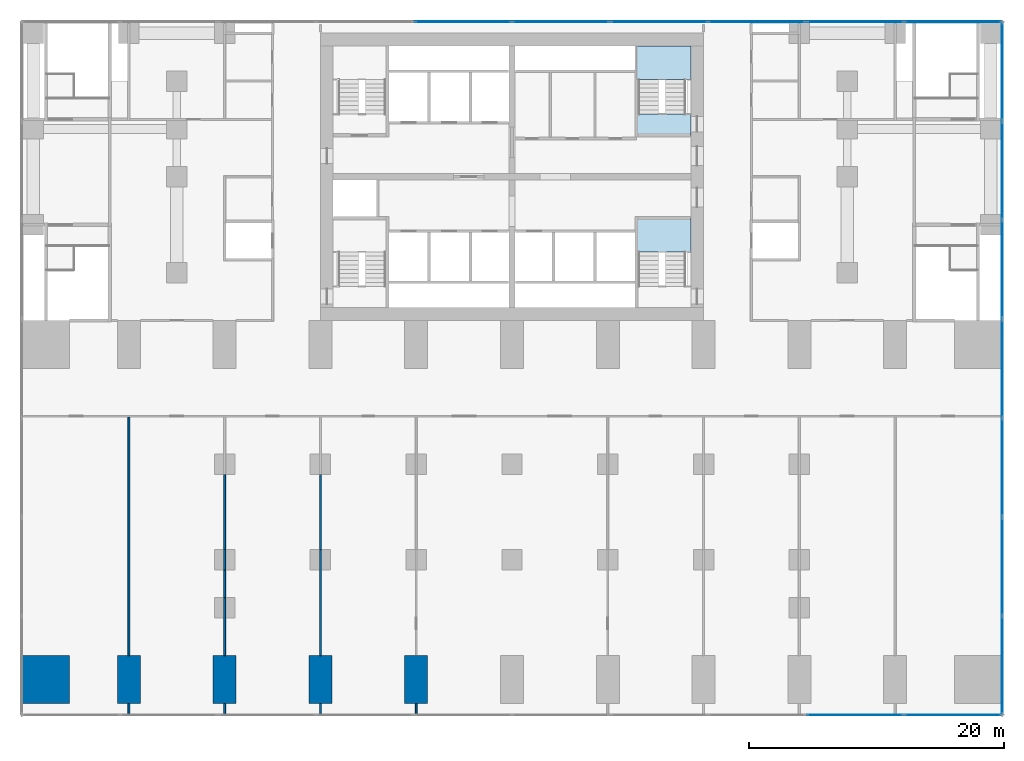
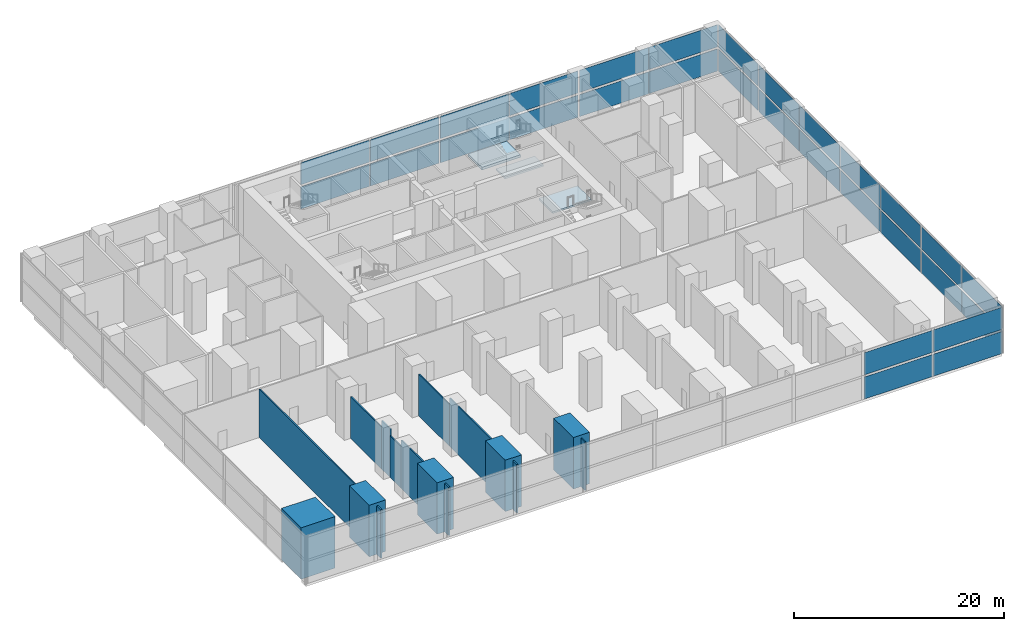
# One storey, part 7 of 14: 30 plates, 16 walls, 4 slabs, 18 elements without a shape of their own.
"""IFC4 building model written with IfcOpenShell, lengths in metres."""

import ifcopenshell
import ifcopenshell.guid

model = None  # the IFC model being written
_history = None  # IfcOwnerHistory: only IFC2X3 demands one
_inside = {}  # id of a spatial element -> (the spatial element, [elements in it])
_under = {}  # id of a project, library or spatial element -> (it, [spatial elements below it])
_declared = {}  # id of a project -> (the project, [libraries it declares])
_typed = {}  # id of a type object -> (the type object, [elements of that type])
_made_of = {}  # id of a material, layer set ... -> (it, [elements and type objects made of it])


def new_model(schema):
    """Start an empty IFC model of exactly this schema.

    Asked for "IFC4X3", IfcOpenShell would pick the latest addendum, in which some entities
    have other attributes; the version numbers below select the first issue.
    IFC2X3 requires an IfcOwnerHistory on every rooted entity: one is made here for all.
    """
    global model, _history
    if schema == "IFC4X3":
        model = ifcopenshell.file(schema_version=(4, 3, 0, 0))
    else:
        model = ifcopenshell.file(schema=schema)
    _inside.clear()
    _under.clear()
    _declared.clear()
    _typed.clear()
    _made_of.clear()
    _history = None
    if model.schema == "IFC2X3":
        org = make("IfcOrganization", Name="unknown")
        user = make(
            "IfcPersonAndOrganization",
            ThePerson=make("IfcPerson", FamilyName="unknown"),
            TheOrganization=org,
        )
        app = make(
            "IfcApplication",
            ApplicationDeveloper=org,
            Version="unknown",
            ApplicationFullName="unknown",
            ApplicationIdentifier="unknown",
        )
        _history = make(
            "IfcOwnerHistory",
            OwningUser=user,
            OwningApplication=app,
            ChangeAction="ADDED",
            CreationDate=0,
        )
    return model


def make(cls, **values):
    """One entity of the class cls with the attributes given. An attribute that is None is left unset."""
    return model.create_entity(
        cls, **{name: value for name, value in values.items() if value is not None}
    )


def rooted(cls, **values):
    """An entity with a GlobalId (a new one), such as an element, a storey or a relation."""
    return make(cls, GlobalId=ifcopenshell.guid.new(), OwnerHistory=_history, **values)


def si_unit(unit_type, name, prefix=None):
    """IfcSIUnit, for example si_unit("LENGTHUNIT", "METRE", prefix="MILLI")."""
    return make("IfcSIUnit", UnitType=unit_type, Prefix=prefix, Name=name)


def assignment(units):
    """IfcUnitAssignment: the units of a project."""
    return None if units is None else make("IfcUnitAssignment", Units=units)


def point(xyz):
    """IfcCartesianPoint."""
    return None if xyz is None else make("IfcCartesianPoint", Coordinates=xyz)


def direction(xyz):
    """IfcDirection."""
    return None if xyz is None else make("IfcDirection", DirectionRatios=xyz)


def frame(location, z_axis=None, x_axis=None):
    """IfcAxis2Placement3D, a coordinate frame: its origin and axes. An axis left out is left unset."""
    return make(
        "IfcAxis2Placement3D",
        Location=point(location),
        Axis=direction(z_axis),
        RefDirection=direction(x_axis),
    )


def frame_2d(location, x_axis=None):
    """IfcAxis2Placement2D, a coordinate frame in the plane: its origin and x axis."""
    return make(
        "IfcAxis2Placement2D", Location=point(location), RefDirection=direction(x_axis)
    )


def origin():
    """The frame at (0, 0, 0) with its axes left unset."""
    return frame((0.0, 0.0, 0.0))


def origin_2d():
    """The frame at (0, 0) in the plane with its x axis left unset."""
    return frame_2d((0.0, 0.0))


def place(relative_to, where):
    """IfcLocalPlacement: puts the frame where relative to a parent placement (None: the world)."""
    return make(
        "IfcLocalPlacement", PlacementRelTo=relative_to, RelativePlacement=where
    )


def context(
    kind, dimensions, precision=None, world=None, true_north=None, identifier=None
):
    """IfcGeometricRepresentationContext, for example the 3D "Model" context."""
    return make(
        "IfcGeometricRepresentationContext",
        ContextIdentifier=identifier,
        ContextType=kind,
        CoordinateSpaceDimension=dimensions,
        Precision=precision,
        WorldCoordinateSystem=world,
        TrueNorth=true_north,
    )


def subcontext(parent, identifier, kind, view, scale=None):
    """IfcGeometricRepresentationSubContext, for example "Body" below "Model"."""
    return make(
        "IfcGeometricRepresentationSubContext",
        ContextIdentifier=identifier,
        ContextType=kind,
        ParentContext=parent,
        TargetScale=scale,
        TargetView=view,
    )


def project(units=None, contexts=None):
    """IfcProject with its units and contexts."""
    return rooted(
        "IfcProject",
        Name="project",
        RepresentationContexts=contexts,
        UnitsInContext=assignment(units),
    )


def spatial(cls, under=None, at=None, **own):
    """A site, building, storey or space (cls), placed at a placement, below another one or the project."""
    s = rooted(cls, ObjectPlacement=at, **own)
    if under is not None:
        _under.setdefault(under.id(), (under, []))[1].append(s)
    return s


def polyline(points):
    """IfcPolyline through the points."""
    return make("IfcPolyline", Points=[point(p) for p in points])


def profile(cls, at=None, kind="AREA", **sizes):
    """A parametric profile (cls). Its sizes go by their IFC names, for example OverallWidth=200.0."""
    return make(cls, ProfileType=kind, Position=at, **sizes)


def rectangle(**sizes):
    """IfcRectangleProfileDef."""
    return profile("IfcRectangleProfileDef", **sizes)


def outline(outer, holes=None, kind="AREA"):
    """IfcArbitraryClosedProfileDef: a profile drawn as a closed curve; with holes, ...WithVoids."""
    if holes is None:
        return make("IfcArbitraryClosedProfileDef", ProfileType=kind, OuterCurve=outer)
    return make(
        "IfcArbitraryProfileDefWithVoids",
        ProfileType=kind,
        OuterCurve=outer,
        InnerCurves=holes,
    )


def extrude(swept, where, along, depth):
    """IfcExtrudedAreaSolid: the profile swept, set in the frame where, extruded along a direction by depth."""
    return make(
        "IfcExtrudedAreaSolid",
        SweptArea=swept,
        Position=where,
        ExtrudedDirection=direction(along),
        Depth=depth,
    )


def shape(context_of_items, identifier, shape_type, items):
    """IfcShapeRepresentation: the items that make up one representation, for example the "Body"."""
    return make(
        "IfcShapeRepresentation",
        ContextOfItems=context_of_items,
        RepresentationIdentifier=identifier,
        RepresentationType=shape_type,
        Items=items,
    )


def material(Name=None, Category=None):
    """IfcMaterial."""
    return make("IfcMaterial", Name=Name, Category=Category)


def layer(
    of_material, thickness, ventilated=None, Name=None, Category=None, Priority=None
):
    """IfcMaterialLayer: one layer of a wall or slab, of a material (None: an air gap)."""
    return make(
        "IfcMaterialLayer",
        Material=of_material,
        LayerThickness=thickness,
        IsVentilated=ventilated,
        Name=Name,
        Category=Category,
        Priority=Priority,
    )


def layer_set(layers, Name=None):
    """IfcMaterialLayerSet."""
    return make("IfcMaterialLayerSet", MaterialLayers=layers, LayerSetName=Name)


def made_of(thing, what):
    """Note that an element or type object is made of a material, layer set ...; save() writes the relation."""
    if what is not None:
        _made_of.setdefault(what.id(), (what, []))[1].append(thing)
    return thing


def type_object(cls, material=None, **own):
    """A type object (cls), such as IfcWallType, which elements share."""
    return made_of(rooted(cls, **own), material)


def element(
    cls,
    number,
    at=None,
    inside=None,
    cuts=None,
    type_object=None,
    material=None,
    context=None,
    identifier="Body",
    shape_type=None,
    held_by="IfcProductDefinitionShape",
    body=None,
    shapes=None,
    **own,
):
    """One element of the class cls, such as IfcWall. Its Tag is "e" and its number.

    at: its placement. inside: the storey or other place that contains it. cuts: it is an
    opening in that element (IfcRelVoidsElement). A single representation is given by context,
    identifier, shape_type and body (its items); several are given by shapes. held_by: the class
    of the entity that holds the representations. save() writes the other relations.
    """
    e = rooted(cls, Tag="e%d" % number, ObjectPlacement=at, **own)
    if body is not None:
        shapes = [shape(context, identifier, shape_type, body)]
    if shapes is not None:
        e.Representation = make(held_by, Representations=shapes)
    if inside is not None:
        _inside.setdefault(inside.id(), (inside, []))[1].append(e)
    if cuts is not None:
        rooted(
            "IfcRelVoidsElement", RelatingBuildingElement=cuts, RelatedOpeningElement=e
        )
    if type_object is not None:
        _typed.setdefault(type_object.id(), (type_object, []))[1].append(e)
    return made_of(e, material)


def aggregate(whole, parts):
    """IfcRelAggregates: a whole, such as a stair, and the parts it consists of."""
    return rooted("IfcRelAggregates", RelatingObject=whole, RelatedObjects=parts)


def save(model, path):
    """Write the relations noted so far, then the file.

    IfcRelAggregates (storeys below a building ...), IfcRelContainedInSpatialStructure (elements
    in a storey), IfcRelDefinesByType, IfcRelAssociatesMaterial and IfcRelDeclares: one each for
    every whole, place, type object, material and project.
    """
    for whole, parts in _under.values():
        aggregate(whole, parts)
    for where, things in _inside.values():
        rooted(
            "IfcRelContainedInSpatialStructure",
            RelatedElements=things,
            RelatingStructure=where,
        )
    for kind, things in _typed.values():
        rooted("IfcRelDefinesByType", RelatedObjects=things, RelatingType=kind)
    for what, things in _made_of.values():
        rooted("IfcRelAssociatesMaterial", RelatedObjects=things, RelatingMaterial=what)
    for by, libraries in _declared.values():
        rooted("IfcRelDeclares", RelatingContext=by, RelatedDefinitions=libraries)
    model.write(path)


model = new_model("IFC4")

# Units and contexts
model_context = context("Model", 3, precision=1e-05, world=origin(), true_north=direction((0.0, 1.0)))
body_context = subcontext(model_context, "Body", "Model", "MODEL_VIEW")
ifc_project = project(units=[si_unit("LENGTHUNIT", "METRE"), si_unit("AREAUNIT", "SQUARE_METRE"), si_unit("VOLUMEUNIT", "CUBIC_METRE"), si_unit("PLANEANGLEUNIT", "RADIAN"), si_unit("MASSUNIT", "GRAM", prefix="KILO")], contexts=[model_context])

# Site, building, storey
site_placement = place(None, origin())
site = spatial("IfcSite", under=ifc_project, at=site_placement, CompositionType="ELEMENT")
building_placement = place(site_placement, origin())
building = spatial("IfcBuilding", under=site, at=building_placement, Name="Pilkhan Gate Tower", CompositionType="ELEMENT")
storey_placement = place(building_placement, frame((0.0, 0.0, 24.0)))
storey = spatial("IfcBuildingStorey", under=building, at=storey_placement, Name="L03", CompositionType="ELEMENT", Elevation=24.0)

# Curtain wall, plates
ifc_material_1 = material(Name="Pale anodised aluminium, clear low-iron laminated glazing", Category="aluminium")
curtain_wall_type = type_object("IfcCurtainWallType", Name="Podium unitised curtain wall CW-P", PredefinedType="USERDEFINED", material=ifc_material_1)
curtain_wall_1_placement = place(storey_placement, origin())
curtain_wall_1 = element("IfcCurtainWall", 1, at=curtain_wall_1_placement, inside=storey, type_object=curtain_wall_type, Name="Podium unitised curtain wall CW-P L03 E", ObjectType="UNITISED CURTAIN WALL", PredefinedType="USERDEFINED")
ifc_material_2 = material(Name="Clear low-iron laminated glazing", Category="glass")
ifc_layer_1 = layer(ifc_material_2, 0.048095703125)
ifc_layer_set_1 = layer_set([ifc_layer_1], Name="Glass panel CW-P 48")
plate_type = type_object("IfcPlateType", Name="Glass panel CW-P 48", PredefinedType="CURTAIN_PANEL", material=ifc_layer_set_1)
plate_1_placement = place(storey_placement, frame((113.39501953125, 44.2529296875, 0.0), z_axis=(0.0, 0.0, 1.0), x_axis=(0.0, 1.0, 0.0)))
plate_1 = element("IfcPlate", 2, at=plate_1_placement, type_object=plate_type, Name="CW-P panel 1", PredefinedType="CURTAIN_PANEL", context=body_context, shape_type="SweptSolid", body=[
    extrude(rectangle(XDim=7.6357421875, YDim=0.048095703125, at=origin_2d()), origin(), (0.0, 0.0, 1.0), 2.574951171875),
])
plate_2_placement = place(storey_placement, frame((113.39501953125, 51.968505859375, 0.0), z_axis=(0.0, 0.0, 1.0), x_axis=(0.0, 1.0, 0.0)))
plate_2 = element("IfcPlate", 3, at=plate_2_placement, type_object=plate_type, Name="CW-P panel 2", PredefinedType="CURTAIN_PANEL", context=body_context, shape_type="SweptSolid", body=[
    extrude(rectangle(XDim=7.6357421875, YDim=0.048095703125, at=origin_2d()), origin(), (0.0, 0.0, 1.0), 2.574951171875),
])
aggregate(curtain_wall_1, [plate_1, plate_2])

curtain_wall_2_placement = place(storey_placement, origin())
curtain_wall_2 = element("IfcCurtainWall", 4, at=curtain_wall_2_placement, inside=storey, type_object=curtain_wall_type, Name="Podium unitised curtain wall CW-P L03 E", ObjectType="UNITISED CURTAIN WALL", PredefinedType="USERDEFINED")
plate_3_placement = place(storey_placement, frame((113.39501953125, 59.764404296875, 0.0), z_axis=(0.0, 0.0, 1.0), x_axis=(0.0, 1.0, 0.0)))
plate_3 = element("IfcPlate", 5, at=plate_3_placement, type_object=plate_type, Name="CW-P panel 1", PredefinedType="CURTAIN_PANEL", context=body_context, shape_type="SweptSolid", body=[
    extrude(rectangle(XDim=7.6357421875, YDim=0.048095703125, at=origin_2d()), origin(), (0.0, 0.0, 1.0), 2.574951171875),
])
plate_4_placement = place(storey_placement, frame((113.39501953125, 67.47998046875, 0.0), z_axis=(0.0, 0.0, 1.0), x_axis=(0.0, 1.0, 0.0)))
plate_4 = element("IfcPlate", 6, at=plate_4_placement, type_object=plate_type, Name="CW-P panel 2", PredefinedType="CURTAIN_PANEL", context=body_context, shape_type="SweptSolid", body=[
    extrude(rectangle(XDim=7.6357421875, YDim=0.048095703125, at=origin_2d()), origin(), (0.0, 0.0, 1.0), 2.574951171875),
])
aggregate(curtain_wall_2, [plate_3, plate_4])

curtain_wall_3_placement = place(storey_placement, origin())
curtain_wall_3 = element("IfcCurtainWall", 7, at=curtain_wall_3_placement, inside=storey, type_object=curtain_wall_type, Name="Podium unitised curtain wall CW-P L03 E", ObjectType="UNITISED CURTAIN WALL", PredefinedType="USERDEFINED")
plate_5_placement = place(storey_placement, frame((113.39501953125, 75.275634765625, 0.0), z_axis=(0.0, 0.0, 1.0), x_axis=(0.0, 1.0, 0.0)))
plate_5 = element("IfcPlate", 8, at=plate_5_placement, type_object=plate_type, Name="CW-P panel 1", PredefinedType="CURTAIN_PANEL", context=body_context, shape_type="SweptSolid", body=[
    extrude(rectangle(XDim=7.6357421875, YDim=0.048095703125, at=origin_2d()), origin(), (0.0, 0.0, 1.0), 2.574951171875),
])
plate_6_placement = place(storey_placement, frame((113.39501953125, 82.991455078125, 0.0), z_axis=(0.0, 0.0, 1.0), x_axis=(0.0, 1.0, 0.0)))
plate_6 = element("IfcPlate", 9, at=plate_6_placement, type_object=plate_type, Name="CW-P panel 2", PredefinedType="CURTAIN_PANEL", context=body_context, shape_type="SweptSolid", body=[
    extrude(rectangle(XDim=7.6357421875, YDim=0.048095703125, at=origin_2d()), origin(), (0.0, 0.0, 1.0), 2.574951171875),
])
aggregate(curtain_wall_3, [plate_5, plate_6])

# Curtain wall, plate
curtain_wall_4_placement = place(storey_placement, origin())
curtain_wall_4 = element("IfcCurtainWall", 10, at=curtain_wall_4_placement, inside=storey, type_object=curtain_wall_type, Name="Podium unitised curtain wall CW-P L03 E", ObjectType="UNITISED CURTAIN WALL", PredefinedType="USERDEFINED")
plate_7_placement = place(storey_placement, frame((113.39501953125, 90.76708984375, 0.0), z_axis=(0.0, 0.0, 1.0), x_axis=(0.0, 1.0, 0.0)))
plate_7 = element("IfcPlate", 11, at=plate_7_placement, type_object=plate_type, Name="CW-P panel 1", PredefinedType="CURTAIN_PANEL", context=body_context, shape_type="SweptSolid", body=[
    extrude(rectangle(XDim=7.595703125, YDim=0.048095703125, at=origin_2d()), origin(), (0.0, 0.0, 1.0), 2.574951171875),
])
aggregate(curtain_wall_4, [plate_7])

# Curtain wall, plates
curtain_wall_5_placement = place(storey_placement, origin())
curtain_wall_5 = element("IfcCurtainWall", 12, at=curtain_wall_5_placement, inside=storey, type_object=curtain_wall_type, Name="Podium unitised curtain wall CW-P L03 E", ObjectType="UNITISED CURTAIN WALL", PredefinedType="USERDEFINED")
plate_8_placement = place(storey_placement, frame((113.39501953125, 44.2529296875, 2.8251953125), z_axis=(0.0, 0.0, 1.0), x_axis=(0.0, 1.0, 0.0)))
plate_8 = element("IfcPlate", 13, at=plate_8_placement, type_object=plate_type, Name="CW-P panel 1", PredefinedType="CURTAIN_PANEL", context=body_context, shape_type="SweptSolid", body=[
    extrude(rectangle(XDim=7.6357421875, YDim=0.048095703125, at=origin_2d()), origin(), (0.0, 0.0, 1.0), 2.574951171875),
])
plate_9_placement = place(storey_placement, frame((113.39501953125, 51.968505859375, 2.8251953125), z_axis=(0.0, 0.0, 1.0), x_axis=(0.0, 1.0, 0.0)))
plate_9 = element("IfcPlate", 14, at=plate_9_placement, type_object=plate_type, Name="CW-P panel 2", PredefinedType="CURTAIN_PANEL", context=body_context, shape_type="SweptSolid", body=[
    extrude(rectangle(XDim=7.6357421875, YDim=0.048095703125, at=origin_2d()), origin(), (0.0, 0.0, 1.0), 2.574951171875),
])
aggregate(curtain_wall_5, [plate_8, plate_9])

curtain_wall_6_placement = place(storey_placement, origin())
curtain_wall_6 = element("IfcCurtainWall", 15, at=curtain_wall_6_placement, inside=storey, type_object=curtain_wall_type, Name="Podium unitised curtain wall CW-P L03 E", ObjectType="UNITISED CURTAIN WALL", PredefinedType="USERDEFINED")
plate_10_placement = place(storey_placement, frame((113.39501953125, 59.764404296875, 2.8251953125), z_axis=(0.0, 0.0, 1.0), x_axis=(0.0, 1.0, 0.0)))
plate_10 = element("IfcPlate", 16, at=plate_10_placement, type_object=plate_type, Name="CW-P panel 1", PredefinedType="CURTAIN_PANEL", context=body_context, shape_type="SweptSolid", body=[
    extrude(rectangle(XDim=7.6357421875, YDim=0.048095703125, at=origin_2d()), origin(), (0.0, 0.0, 1.0), 2.574951171875),
])
plate_11_placement = place(storey_placement, frame((113.39501953125, 67.47998046875, 2.8251953125), z_axis=(0.0, 0.0, 1.0), x_axis=(0.0, 1.0, 0.0)))
plate_11 = element("IfcPlate", 17, at=plate_11_placement, type_object=plate_type, Name="CW-P panel 2", PredefinedType="CURTAIN_PANEL", context=body_context, shape_type="SweptSolid", body=[
    extrude(rectangle(XDim=7.6357421875, YDim=0.048095703125, at=origin_2d()), origin(), (0.0, 0.0, 1.0), 2.574951171875),
])
aggregate(curtain_wall_6, [plate_10, plate_11])

curtain_wall_7_placement = place(storey_placement, origin())
curtain_wall_7 = element("IfcCurtainWall", 18, at=curtain_wall_7_placement, inside=storey, type_object=curtain_wall_type, Name="Podium unitised curtain wall CW-P L03 E", ObjectType="UNITISED CURTAIN WALL", PredefinedType="USERDEFINED")
plate_12_placement = place(storey_placement, frame((113.39501953125, 75.275634765625, 2.8251953125), z_axis=(0.0, 0.0, 1.0), x_axis=(0.0, 1.0, 0.0)))
plate_12 = element("IfcPlate", 19, at=plate_12_placement, type_object=plate_type, Name="CW-P panel 1", PredefinedType="CURTAIN_PANEL", context=body_context, shape_type="SweptSolid", body=[
    extrude(rectangle(XDim=7.6357421875, YDim=0.048095703125, at=origin_2d()), origin(), (0.0, 0.0, 1.0), 2.574951171875),
])
plate_13_placement = place(storey_placement, frame((113.39501953125, 82.991455078125, 2.8251953125), z_axis=(0.0, 0.0, 1.0), x_axis=(0.0, 1.0, 0.0)))
plate_13 = element("IfcPlate", 20, at=plate_13_placement, type_object=plate_type, Name="CW-P panel 2", PredefinedType="CURTAIN_PANEL", context=body_context, shape_type="SweptSolid", body=[
    extrude(rectangle(XDim=7.6357421875, YDim=0.048095703125, at=origin_2d()), origin(), (0.0, 0.0, 1.0), 2.574951171875),
])
aggregate(curtain_wall_7, [plate_12, plate_13])

# Curtain wall, plate
curtain_wall_8_placement = place(storey_placement, origin())
curtain_wall_8 = element("IfcCurtainWall", 21, at=curtain_wall_8_placement, inside=storey, type_object=curtain_wall_type, Name="Podium unitised curtain wall CW-P L03 E", ObjectType="UNITISED CURTAIN WALL", PredefinedType="USERDEFINED")
plate_14_placement = place(storey_placement, frame((113.39501953125, 90.76708984375, 2.8251953125), z_axis=(0.0, 0.0, 1.0), x_axis=(0.0, 1.0, 0.0)))
plate_14 = element("IfcPlate", 22, at=plate_14_placement, type_object=plate_type, Name="CW-P panel 1", PredefinedType="CURTAIN_PANEL", context=body_context, shape_type="SweptSolid", body=[
    extrude(rectangle(XDim=7.595703125, YDim=0.048095703125, at=origin_2d()), origin(), (0.0, 0.0, 1.0), 2.574951171875),
])
aggregate(curtain_wall_8, [plate_14])

# Curtain wall, plates
curtain_wall_9_placement = place(storey_placement, origin())
curtain_wall_9 = element("IfcCurtainWall", 23, at=curtain_wall_9_placement, inside=storey, type_object=curtain_wall_type, Name="Podium unitised curtain wall CW-P L03 N", ObjectType="UNITISED CURTAIN WALL", PredefinedType="USERDEFINED")
plate_15_placement = place(storey_placement, frame((71.180419921875, 94.64501953125, 0.0), z_axis=(0.0, 0.0, 1.0), x_axis=(1.0, 0.0, 0.0)))
plate_15 = element("IfcPlate", 24, at=plate_15_placement, type_object=plate_type, Name="CW-P panel 1", PredefinedType="CURTAIN_PANEL", context=body_context, shape_type="SweptSolid", body=[
    extrude(rectangle(XDim=7.55908203125, YDim=0.048095703125, at=origin_2d()), origin(), (0.0, 0.0, 1.0), 2.574951171875),
])
plate_16_placement = place(storey_placement, frame((78.819580078125, 94.64501953125, 0.0), z_axis=(0.0, 0.0, 1.0), x_axis=(1.0, 0.0, 0.0)))
plate_16 = element("IfcPlate", 25, at=plate_16_placement, type_object=plate_type, Name="CW-P panel 2", PredefinedType="CURTAIN_PANEL", context=body_context, shape_type="SweptSolid", body=[
    extrude(rectangle(XDim=7.55908203125, YDim=0.048095703125, at=origin_2d()), origin(), (0.0, 0.0, 1.0), 2.574951171875),
])
aggregate(curtain_wall_9, [plate_15, plate_16])

curtain_wall_10_placement = place(storey_placement, origin())
curtain_wall_10 = element("IfcCurtainWall", 26, at=curtain_wall_10_placement, inside=storey, type_object=curtain_wall_type, Name="Podium unitised curtain wall CW-P L03 N", ObjectType="UNITISED CURTAIN WALL", PredefinedType="USERDEFINED")
plate_17_placement = place(storey_placement, frame((86.53857421875, 94.64501953125, 0.0), z_axis=(0.0, 0.0, 1.0), x_axis=(1.0, 0.0, 0.0)))
plate_17 = element("IfcPlate", 27, at=plate_17_placement, type_object=plate_type, Name="CW-P panel 1", PredefinedType="CURTAIN_PANEL", context=body_context, shape_type="SweptSolid", body=[
    extrude(rectangle(XDim=7.55908203125, YDim=0.048095703125, at=origin_2d()), origin(), (0.0, 0.0, 1.0), 2.574951171875),
])
plate_18_placement = place(storey_placement, frame((94.177490234375, 94.64501953125, 0.0), z_axis=(0.0, 0.0, 1.0), x_axis=(1.0, 0.0, 0.0)))
plate_18 = element("IfcPlate", 28, at=plate_18_placement, type_object=plate_type, Name="CW-P panel 2", PredefinedType="CURTAIN_PANEL", context=body_context, shape_type="SweptSolid", body=[
    extrude(rectangle(XDim=7.55908203125, YDim=0.048095703125, at=origin_2d()), origin(), (0.0, 0.0, 1.0), 2.574951171875),
])
aggregate(curtain_wall_10, [plate_17, plate_18])

curtain_wall_11_placement = place(storey_placement, origin())
curtain_wall_11 = element("IfcCurtainWall", 29, at=curtain_wall_11_placement, inside=storey, type_object=curtain_wall_type, Name="Podium unitised curtain wall CW-P L03 N", ObjectType="UNITISED CURTAIN WALL", PredefinedType="USERDEFINED")
plate_19_placement = place(storey_placement, frame((101.896484375, 94.64501953125, 0.0), z_axis=(0.0, 0.0, 1.0), x_axis=(1.0, 0.0, 0.0)))
plate_19 = element("IfcPlate", 30, at=plate_19_placement, type_object=plate_type, Name="CW-P panel 1", PredefinedType="CURTAIN_PANEL", context=body_context, shape_type="SweptSolid", body=[
    extrude(rectangle(XDim=7.55908203125, YDim=0.048095703125, at=origin_2d()), origin(), (0.0, 0.0, 1.0), 2.574951171875),
])
plate_20_placement = place(storey_placement, frame((109.535400390625, 94.64501953125, 0.0), z_axis=(0.0, 0.0, 1.0), x_axis=(1.0, 0.0, 0.0)))
plate_20 = element("IfcPlate", 31, at=plate_20_placement, type_object=plate_type, Name="CW-P panel 2", PredefinedType="CURTAIN_PANEL", context=body_context, shape_type="SweptSolid", body=[
    extrude(rectangle(XDim=7.55908203125, YDim=0.048095703125, at=origin_2d()), origin(), (0.0, 0.0, 1.0), 2.574951171875),
])
aggregate(curtain_wall_11, [plate_19, plate_20])

curtain_wall_12_placement = place(storey_placement, origin())
curtain_wall_12 = element("IfcCurtainWall", 32, at=curtain_wall_12_placement, inside=storey, type_object=curtain_wall_type, Name="Podium unitised curtain wall CW-P L03 N", ObjectType="UNITISED CURTAIN WALL", PredefinedType="USERDEFINED")
plate_21_placement = place(storey_placement, frame((71.180419921875, 94.64501953125, 2.8251953125), z_axis=(0.0, 0.0, 1.0), x_axis=(1.0, 0.0, 0.0)))
plate_21 = element("IfcPlate", 33, at=plate_21_placement, type_object=plate_type, Name="CW-P panel 1", PredefinedType="CURTAIN_PANEL", context=body_context, shape_type="SweptSolid", body=[
    extrude(rectangle(XDim=7.55908203125, YDim=0.048095703125, at=origin_2d()), origin(), (0.0, 0.0, 1.0), 2.574951171875),
])
plate_22_placement = place(storey_placement, frame((78.819580078125, 94.64501953125, 2.8251953125), z_axis=(0.0, 0.0, 1.0), x_axis=(1.0, 0.0, 0.0)))
plate_22 = element("IfcPlate", 34, at=plate_22_placement, type_object=plate_type, Name="CW-P panel 2", PredefinedType="CURTAIN_PANEL", context=body_context, shape_type="SweptSolid", body=[
    extrude(rectangle(XDim=7.55908203125, YDim=0.048095703125, at=origin_2d()), origin(), (0.0, 0.0, 1.0), 2.574951171875),
])
aggregate(curtain_wall_12, [plate_21, plate_22])

curtain_wall_13_placement = place(storey_placement, origin())
curtain_wall_13 = element("IfcCurtainWall", 35, at=curtain_wall_13_placement, inside=storey, type_object=curtain_wall_type, Name="Podium unitised curtain wall CW-P L03 N", ObjectType="UNITISED CURTAIN WALL", PredefinedType="USERDEFINED")
plate_23_placement = place(storey_placement, frame((86.53857421875, 94.64501953125, 2.8251953125), z_axis=(0.0, 0.0, 1.0), x_axis=(1.0, 0.0, 0.0)))
plate_23 = element("IfcPlate", 36, at=plate_23_placement, type_object=plate_type, Name="CW-P panel 1", PredefinedType="CURTAIN_PANEL", context=body_context, shape_type="SweptSolid", body=[
    extrude(rectangle(XDim=7.55908203125, YDim=0.048095703125, at=origin_2d()), origin(), (0.0, 0.0, 1.0), 2.574951171875),
])
plate_24_placement = place(storey_placement, frame((94.177490234375, 94.64501953125, 2.8251953125), z_axis=(0.0, 0.0, 1.0), x_axis=(1.0, 0.0, 0.0)))
plate_24 = element("IfcPlate", 37, at=plate_24_placement, type_object=plate_type, Name="CW-P panel 2", PredefinedType="CURTAIN_PANEL", context=body_context, shape_type="SweptSolid", body=[
    extrude(rectangle(XDim=7.55908203125, YDim=0.048095703125, at=origin_2d()), origin(), (0.0, 0.0, 1.0), 2.574951171875),
])
aggregate(curtain_wall_13, [plate_23, plate_24])

curtain_wall_14_placement = place(storey_placement, origin())
curtain_wall_14 = element("IfcCurtainWall", 38, at=curtain_wall_14_placement, inside=storey, type_object=curtain_wall_type, Name="Podium unitised curtain wall CW-P L03 N", ObjectType="UNITISED CURTAIN WALL", PredefinedType="USERDEFINED")
plate_25_placement = place(storey_placement, frame((101.896484375, 94.64501953125, 2.8251953125), z_axis=(0.0, 0.0, 1.0), x_axis=(1.0, 0.0, 0.0)))
plate_25 = element("IfcPlate", 39, at=plate_25_placement, type_object=plate_type, Name="CW-P panel 1", PredefinedType="CURTAIN_PANEL", context=body_context, shape_type="SweptSolid", body=[
    extrude(rectangle(XDim=7.55908203125, YDim=0.048095703125, at=origin_2d()), origin(), (0.0, 0.0, 1.0), 2.574951171875),
])
plate_26_placement = place(storey_placement, frame((109.535400390625, 94.64501953125, 2.8251953125), z_axis=(0.0, 0.0, 1.0), x_axis=(1.0, 0.0, 0.0)))
plate_26 = element("IfcPlate", 40, at=plate_26_placement, type_object=plate_type, Name="CW-P panel 2", PredefinedType="CURTAIN_PANEL", context=body_context, shape_type="SweptSolid", body=[
    extrude(rectangle(XDim=7.55908203125, YDim=0.048095703125, at=origin_2d()), origin(), (0.0, 0.0, 1.0), 2.574951171875),
])
aggregate(curtain_wall_14, [plate_25, plate_26])

curtain_wall_15_placement = place(storey_placement, origin())
curtain_wall_15 = element("IfcCurtainWall", 41, at=curtain_wall_15_placement, inside=storey, type_object=curtain_wall_type, Name="Podium unitised curtain wall CW-P L03 S", ObjectType="UNITISED CURTAIN WALL", PredefinedType="USERDEFINED")
plate_27_placement = place(storey_placement, frame((101.896484375, 40.35498046875, 0.0), z_axis=(0.0, 0.0, 1.0), x_axis=(1.0, 0.0, 0.0)))
plate_27 = element("IfcPlate", 42, at=plate_27_placement, type_object=plate_type, Name="CW-P panel 1", PredefinedType="CURTAIN_PANEL", context=body_context, shape_type="SweptSolid", body=[
    extrude(rectangle(XDim=7.55908203125, YDim=0.048095703125, at=origin_2d()), origin(), (0.0, 0.0, 1.0), 2.574951171875),
])
plate_28_placement = place(storey_placement, frame((109.535400390625, 40.35498046875, 0.0), z_axis=(0.0, 0.0, 1.0), x_axis=(1.0, 0.0, 0.0)))
plate_28 = element("IfcPlate", 43, at=plate_28_placement, type_object=plate_type, Name="CW-P panel 2", PredefinedType="CURTAIN_PANEL", context=body_context, shape_type="SweptSolid", body=[
    extrude(rectangle(XDim=7.55908203125, YDim=0.048095703125, at=origin_2d()), origin(), (0.0, 0.0, 1.0), 2.574951171875),
])
aggregate(curtain_wall_15, [plate_27, plate_28])

curtain_wall_16_placement = place(storey_placement, origin())
curtain_wall_16 = element("IfcCurtainWall", 44, at=curtain_wall_16_placement, inside=storey, type_object=curtain_wall_type, Name="Podium unitised curtain wall CW-P L03 S", ObjectType="UNITISED CURTAIN WALL", PredefinedType="USERDEFINED")
plate_29_placement = place(storey_placement, frame((101.896484375, 40.35498046875, 2.8251953125), z_axis=(0.0, 0.0, 1.0), x_axis=(1.0, 0.0, 0.0)))
plate_29 = element("IfcPlate", 45, at=plate_29_placement, type_object=plate_type, Name="CW-P panel 1", PredefinedType="CURTAIN_PANEL", context=body_context, shape_type="SweptSolid", body=[
    extrude(rectangle(XDim=7.55908203125, YDim=0.048095703125, at=origin_2d()), origin(), (0.0, 0.0, 1.0), 2.574951171875),
])
plate_30_placement = place(storey_placement, frame((109.535400390625, 40.35498046875, 2.8251953125), z_axis=(0.0, 0.0, 1.0), x_axis=(1.0, 0.0, 0.0)))
plate_30 = element("IfcPlate", 46, at=plate_30_placement, type_object=plate_type, Name="CW-P panel 2", PredefinedType="CURTAIN_PANEL", context=body_context, shape_type="SweptSolid", body=[
    extrude(rectangle(XDim=7.55908203125, YDim=0.048095703125, at=origin_2d()), origin(), (0.0, 0.0, 1.0), 2.574951171875),
])
aggregate(curtain_wall_16, [plate_29, plate_30])

# Stair, slab
ifc_material_3 = material(Name="Concrete C40/50 precast", Category="concrete")
stair_type_1 = type_object("IfcStairType", Name="Stair ST1 167x340", PredefinedType="HALF_TURN_STAIR", material=ifc_material_3)
stair_1_placement = place(storey_placement, origin())
stair_1 = element("IfcStair", 47, at=stair_1_placement, inside=storey, type_object=stair_type_1, Name="Stair ST1 L03", PredefinedType="HALF_TURN_STAIR")
ifc_material_4 = material(Name="Concrete C40/50", Category="concrete")
ifc_layer_2 = layer(ifc_material_4, 0.199951171875)
ifc_layer_set_2 = layer_set([ifc_layer_2], Name="Stair landing SL200")
slab_type = type_object("IfcSlabType", Name="Stair landing SL200", PredefinedType="LANDING", material=ifc_layer_set_2)
slab_1_placement = place(storey_placement, frame((0.0, 0.0, 4.300048828125)))
slab_1 = element("IfcSlab", 48, at=slab_1_placement, type_object=slab_type, Name="ST1 landing 3", PredefinedType="LANDING", context=body_context, shape_type="SweptSolid", body=[
    extrude(outline(polyline([(89.0, 76.6201171875), (89.0, 79.25), (84.75, 79.25), (84.75, 76.6201171875), (89.0, 76.6201171875)])), origin(), (0.0, 0.0, 1.0), 0.199951171875),
])
aggregate(stair_1, [slab_1])

# Stair, slabs
stair_type_2 = type_object("IfcStairType", Name="Stair ST4 167x340", PredefinedType="HALF_TURN_STAIR", material=ifc_material_3)
stair_2_placement = place(storey_placement, origin())
stair_2 = element("IfcStair", 49, at=stair_2_placement, inside=storey, type_object=stair_type_2, Name="Stair ST4 L03", PredefinedType="HALF_TURN_STAIR")
slab_2_placement = place(storey_placement, frame((0.0, 0.0, 1.199951171875)))
slab_2 = element("IfcSlab", 50, at=slab_2_placement, type_object=slab_type, Name="ST4 landing 1", PredefinedType="LANDING", context=body_context, shape_type="SweptSolid", body=[
    extrude(outline(polyline([(89.0, 90.1201171875), (89.0, 92.75), (84.75, 92.75), (84.75, 90.1201171875), (89.0, 90.1201171875)])), origin(), (0.0, 0.0, 1.0), 0.300048828125),
])
slab_3_placement = place(storey_placement, frame((0.0, 0.0, 2.800048828125)))
slab_3 = element("IfcSlab", 51, at=slab_3_placement, type_object=slab_type, Name="ST4 landing 2", PredefinedType="LANDING", context=body_context, shape_type="SweptSolid", body=[
    extrude(outline(polyline([(89.0, 85.75), (89.0, 87.39990234375), (84.75, 87.39990234375), (84.75, 85.75), (89.0, 85.75)])), origin(), (0.0, 0.0, 1.0), 0.199951171875),
])
slab_4_placement = place(storey_placement, frame((0.0, 0.0, 4.300048828125)))
slab_4 = element("IfcSlab", 52, at=slab_4_placement, type_object=slab_type, Name="ST4 landing 3", PredefinedType="LANDING", context=body_context, shape_type="SweptSolid", body=[
    extrude(outline(polyline([(89.0, 90.1201171875), (89.0, 92.75), (84.75, 92.75), (84.75, 90.1201171875), (89.0, 90.1201171875)])), origin(), (0.0, 0.0, 1.0), 0.199951171875),
])
aggregate(stair_2, [slab_2, slab_3, slab_4])

# Walls
ifc_material_5 = material(Name="Concrete C70/85", Category="concrete")
ifc_layer_3 = layer(ifc_material_5, 1.800048828125)
ifc_layer_set_3 = layer_set([ifc_layer_3], Name="Arch pier AP1800 C70/85")
wall_type_1 = type_object("IfcWallType", Name="Arch pier AP1800 C70/85", PredefinedType="SHEAR", material=ifc_layer_set_3)
for number, where, z_axis, x_axis, name in (
    (53, (45.0, 41.25, 0.0), (0.0, 0.0, 1.0), (0.0, 1.0, 0.0), "Arch pier S-4 L03"),
    (54, (52.5, 41.25, 0.0), (0.0, 0.0, 1.0), (0.0, 1.0, 0.0), "Arch pier S-3 L03"),
    (55, (60.0, 41.25, 0.0), (0.0, 0.0, 1.0), (0.0, 1.0, 0.0), "Arch pier S-2 L03"),
    (56, (67.5, 41.25, 0.0), (0.0, 0.0, 1.0), (0.0, 1.0, 0.0), "Arch pier S-1 L03"),
):
    element("IfcWall", number, at=place(storey_placement, frame(where, z_axis=z_axis, x_axis=x_axis)), inside=storey, type_object=wall_type_1, Name=name, PredefinedType="SHEAR", context=body_context, shape_type="SweptSolid", body=[
        extrude(rectangle(XDim=3.75, YDim=1.800048828125, at=frame_2d((1.875, 0.0))), origin(), (0.0, 0.0, 1.0), 6.0),
    ])
ifc_layer_4 = layer(ifc_material_5, 3.75)
ifc_layer_set_4 = layer_set([ifc_layer_4], Name="Arch pier AP3750 C70/85")
wall_type_2 = type_object("IfcWallType", Name="Arch pier AP3750 C70/85", PredefinedType="SHEAR", material=ifc_layer_set_4)
wall_1_placement = place(storey_placement, frame((38.47509765625, 41.25, 0.0), z_axis=(0.0, 0.0, 1.0), x_axis=(0.0, 1.0, 0.0)))
element("IfcWall", 57, at=wall_1_placement, inside=storey, type_object=wall_type_2, Name="Arch pier S-5 L03", PredefinedType="SHEAR", context=body_context, shape_type="SweptSolid", body=[
    extrude(rectangle(XDim=3.75, YDim=3.75, at=frame_2d((1.875, 0.0))), origin(), (0.0, 0.0, 1.0), 6.0),
])
ifc_material_6 = material(Name="Blockwork partition, plastered both sides", Category="masonry")
ifc_layer_5 = layer(ifc_material_6, 0.14990234375)
ifc_layer_set_5 = layer_set([ifc_layer_5], Name="Partition PW150")
wall_type_3 = type_object("IfcWallType", Name="Partition PW150", PredefinedType="PARTITIONING", material=ifc_layer_set_5)
wall_2_placement = place(storey_placement, frame((45.0, 40.485107421875, 0.0), z_axis=(0.0, 0.0, 1.0), x_axis=(0.0, 1.0, 0.0)))
element("IfcWall", 58, at=wall_2_placement, inside=storey, type_object=wall_type_3, Name="Partition L03", PredefinedType="PARTITIONING", context=body_context, shape_type="SweptSolid", body=[
    extrude(rectangle(XDim=0.7548828125, YDim=0.14990234375, at=frame_2d((0.37744140625, 0.0))), origin(), (0.0, 0.0, 1.0), 5.64990234375),
])
wall_3_placement = place(storey_placement, frame((45.0, 45.010009765625, 0.0), z_axis=(0.0, 0.0, 1.0), x_axis=(0.0, 1.0, 0.0)))
element("IfcWall", 59, at=wall_3_placement, inside=storey, type_object=wall_type_3, Name="Partition L03", PredefinedType="PARTITIONING", context=body_context, shape_type="SweptSolid", body=[
    extrude(rectangle(XDim=18.6650390625, YDim=0.14990234375, at=frame_2d((9.33251953125, 0.0))), origin(), (0.0, 0.0, 1.0), 5.64990234375),
])
wall_4_placement = place(storey_placement, frame((52.5, 40.485107421875, 0.0), z_axis=(0.0, 0.0, 1.0), x_axis=(0.0, 1.0, 0.0)))
element("IfcWall", 60, at=wall_4_placement, inside=storey, type_object=wall_type_3, Name="Partition L03", PredefinedType="PARTITIONING", context=body_context, shape_type="SweptSolid", body=[
    extrude(rectangle(XDim=0.7548828125, YDim=0.14990234375, at=frame_2d((0.37744140625, 0.0))), origin(), (0.0, 0.0, 1.0), 5.64990234375),
])
wall_5_placement = place(storey_placement, frame((52.5, 45.010009765625, 0.0), z_axis=(0.0, 0.0, 1.0), x_axis=(0.0, 1.0, 0.0)))
element("IfcWall", 61, at=wall_5_placement, inside=storey, type_object=wall_type_3, Name="Partition L03", PredefinedType="PARTITIONING", context=body_context, shape_type="SweptSolid", body=[
    extrude(rectangle(XDim=4.5390625, YDim=0.14990234375, at=frame_2d((2.26953125, 0.0))), origin(), (0.0, 0.0, 1.0), 5.64990234375),
])
wall_6_placement = place(storey_placement, frame((52.5, 49.549072265625, 0.0), z_axis=(0.0, 0.0, 1.0), x_axis=(0.0, 1.0, 0.0)))
element("IfcWall", 62, at=wall_6_placement, inside=storey, type_object=wall_type_3, Name="Partition L03", PredefinedType="PARTITIONING", context=body_context, shape_type="SweptSolid", body=[
    extrude(rectangle(XDim=2.15185546875, YDim=0.14990234375, at=frame_2d((1.075927734375, 0.0))), origin(), (0.0, 0.0, 1.0), 4.85009765625),
])
wall_7_placement = place(storey_placement, frame((52.5, 51.700927734375, 0.0), z_axis=(0.0, 0.0, 1.0), x_axis=(0.0, 1.0, 0.0)))
element("IfcWall", 63, at=wall_7_placement, inside=storey, type_object=wall_type_3, Name="Partition L03", PredefinedType="PARTITIONING", context=body_context, shape_type="SweptSolid", body=[
    extrude(rectangle(XDim=1.59912109375, YDim=0.14990234375, at=frame_2d((0.799560546875, 0.0))), origin(), (0.0, 0.0, 1.0), 5.64990234375),
])
wall_8_placement = place(storey_placement, frame((52.5, 53.300048828125, 0.0), z_axis=(0.0, 0.0, 1.0), x_axis=(0.0, 1.0, 0.0)))
element("IfcWall", 64, at=wall_8_placement, inside=storey, type_object=wall_type_3, Name="Partition L03", PredefinedType="PARTITIONING", context=body_context, shape_type="SweptSolid", body=[
    extrude(rectangle(XDim=5.90087890625, YDim=0.14990234375, at=frame_2d((2.950439453125, 0.0))), origin(), (0.0, 0.0, 1.0), 4.85009765625),
])
wall_9_placement = place(storey_placement, frame((60.0, 40.485107421875, 0.0), z_axis=(0.0, 0.0, 1.0), x_axis=(0.0, 1.0, 0.0)))
element("IfcWall", 65, at=wall_9_placement, inside=storey, type_object=wall_type_3, Name="Partition L03", PredefinedType="PARTITIONING", context=body_context, shape_type="SweptSolid", body=[
    extrude(rectangle(XDim=0.7548828125, YDim=0.14990234375, at=frame_2d((0.37744140625, 0.0))), origin(), (0.0, 0.0, 1.0), 5.64990234375),
])
wall_10_placement = place(storey_placement, frame((60.0, 45.010009765625, 0.0), z_axis=(0.0, 0.0, 1.0), x_axis=(0.0, 1.0, 0.0)))
element("IfcWall", 66, at=wall_10_placement, inside=storey, type_object=wall_type_3, Name="Partition L03", PredefinedType="PARTITIONING", context=body_context, shape_type="SweptSolid", body=[
    extrude(rectangle(XDim=8.2900390625, YDim=0.14990234375, at=frame_2d((4.14501953125, 0.0))), origin(), (0.0, 0.0, 1.0), 5.64990234375),
])
wall_11_placement = place(storey_placement, frame((60.0, 53.300048828125, 0.0), z_axis=(0.0, 0.0, 1.0), x_axis=(0.0, 1.0, 0.0)))
element("IfcWall", 67, at=wall_11_placement, inside=storey, type_object=wall_type_3, Name="Partition L03", PredefinedType="PARTITIONING", context=body_context, shape_type="SweptSolid", body=[
    extrude(rectangle(XDim=5.90087890625, YDim=0.14990234375, at=frame_2d((2.950439453125, 0.0))), origin(), (0.0, 0.0, 1.0), 4.85009765625),
])
wall_12_placement = place(storey_placement, frame((67.5, 40.485107421875, 0.0), z_axis=(0.0, 0.0, 1.0), x_axis=(0.0, 1.0, 0.0)))
element("IfcWall", 68, at=wall_12_placement, inside=storey, type_object=wall_type_3, Name="Partition L03", PredefinedType="PARTITIONING", context=body_context, shape_type="SweptSolid", body=[
    extrude(rectangle(XDim=0.7548828125, YDim=0.14990234375, at=frame_2d((0.37744140625, 0.0))), origin(), (0.0, 0.0, 1.0), 5.64990234375),
])

save(model, "model.ifc")
